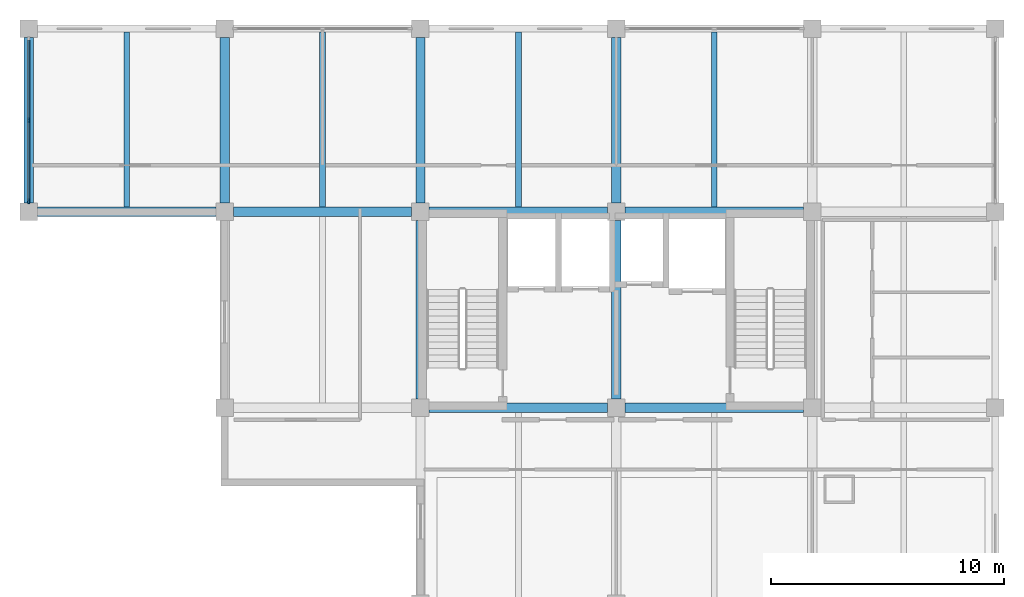
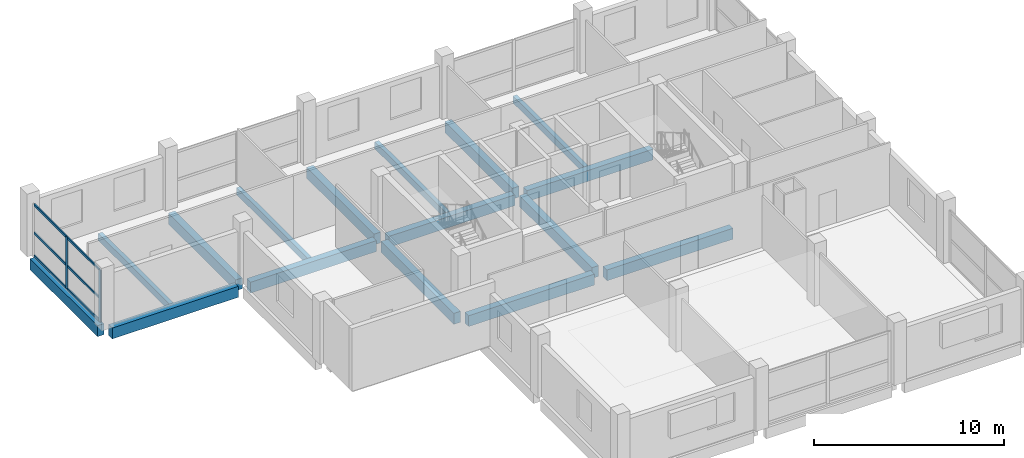
# One storey, part 3 of 9: 16 beams, 8 members, 1 element without a shape of its own.
"""IFC4 building model written with IfcOpenShell, lengths in metres."""

import ifcopenshell
import ifcopenshell.guid

model = None  # the IFC model being written
_history = None  # IfcOwnerHistory: only IFC2X3 demands one
_inside = {}  # id of a spatial element -> (the spatial element, [elements in it])
_under = {}  # id of a project, library or spatial element -> (it, [spatial elements below it])
_declared = {}  # id of a project -> (the project, [libraries it declares])
_typed = {}  # id of a type object -> (the type object, [elements of that type])
_made_of = {}  # id of a material, layer set ... -> (it, [elements and type objects made of it])


def new_model(schema):
    """Start an empty IFC model of exactly this schema.

    Asked for "IFC4X3", IfcOpenShell would pick the latest addendum, in which some entities
    have other attributes; the version numbers below select the first issue.
    IFC2X3 requires an IfcOwnerHistory on every rooted entity: one is made here for all.
    """
    global model, _history
    if schema == "IFC4X3":
        model = ifcopenshell.file(schema_version=(4, 3, 0, 0))
    else:
        model = ifcopenshell.file(schema=schema)
    _inside.clear()
    _under.clear()
    _declared.clear()
    _typed.clear()
    _made_of.clear()
    _history = None
    if model.schema == "IFC2X3":
        org = make("IfcOrganization", Name="unknown")
        user = make(
            "IfcPersonAndOrganization",
            ThePerson=make("IfcPerson", FamilyName="unknown"),
            TheOrganization=org,
        )
        app = make(
            "IfcApplication",
            ApplicationDeveloper=org,
            Version="unknown",
            ApplicationFullName="unknown",
            ApplicationIdentifier="unknown",
        )
        _history = make(
            "IfcOwnerHistory",
            OwningUser=user,
            OwningApplication=app,
            ChangeAction="ADDED",
            CreationDate=0,
        )
    return model


def make(cls, **values):
    """One entity of the class cls with the attributes given. An attribute that is None is left unset."""
    return model.create_entity(
        cls, **{name: value for name, value in values.items() if value is not None}
    )


def rooted(cls, **values):
    """An entity with a GlobalId (a new one), such as an element, a storey or a relation."""
    return make(cls, GlobalId=ifcopenshell.guid.new(), OwnerHistory=_history, **values)


def si_unit(unit_type, name, prefix=None):
    """IfcSIUnit, for example si_unit("LENGTHUNIT", "METRE", prefix="MILLI")."""
    return make("IfcSIUnit", UnitType=unit_type, Prefix=prefix, Name=name)


def assignment(units):
    """IfcUnitAssignment: the units of a project."""
    return None if units is None else make("IfcUnitAssignment", Units=units)


def point(xyz):
    """IfcCartesianPoint."""
    return None if xyz is None else make("IfcCartesianPoint", Coordinates=xyz)


def direction(xyz):
    """IfcDirection."""
    return None if xyz is None else make("IfcDirection", DirectionRatios=xyz)


def frame(location, z_axis=None, x_axis=None):
    """IfcAxis2Placement3D, a coordinate frame: its origin and axes. An axis left out is left unset."""
    return make(
        "IfcAxis2Placement3D",
        Location=point(location),
        Axis=direction(z_axis),
        RefDirection=direction(x_axis),
    )


def frame_2d(location, x_axis=None):
    """IfcAxis2Placement2D, a coordinate frame in the plane: its origin and x axis."""
    return make(
        "IfcAxis2Placement2D", Location=point(location), RefDirection=direction(x_axis)
    )


def origin():
    """The frame at (0, 0, 0) with its axes left unset."""
    return frame((0.0, 0.0, 0.0))


def origin_2d():
    """The frame at (0, 0) in the plane with its x axis left unset."""
    return frame_2d((0.0, 0.0))


def place(relative_to, where):
    """IfcLocalPlacement: puts the frame where relative to a parent placement (None: the world)."""
    return make(
        "IfcLocalPlacement", PlacementRelTo=relative_to, RelativePlacement=where
    )


def context(
    kind, dimensions, precision=None, world=None, true_north=None, identifier=None
):
    """IfcGeometricRepresentationContext, for example the 3D "Model" context."""
    return make(
        "IfcGeometricRepresentationContext",
        ContextIdentifier=identifier,
        ContextType=kind,
        CoordinateSpaceDimension=dimensions,
        Precision=precision,
        WorldCoordinateSystem=world,
        TrueNorth=true_north,
    )


def subcontext(parent, identifier, kind, view, scale=None):
    """IfcGeometricRepresentationSubContext, for example "Body" below "Model"."""
    return make(
        "IfcGeometricRepresentationSubContext",
        ContextIdentifier=identifier,
        ContextType=kind,
        ParentContext=parent,
        TargetScale=scale,
        TargetView=view,
    )


def project(units=None, contexts=None):
    """IfcProject with its units and contexts."""
    return rooted(
        "IfcProject",
        Name="project",
        RepresentationContexts=contexts,
        UnitsInContext=assignment(units),
    )


def spatial(cls, under=None, at=None, **own):
    """A site, building, storey or space (cls), placed at a placement, below another one or the project."""
    s = rooted(cls, ObjectPlacement=at, **own)
    if under is not None:
        _under.setdefault(under.id(), (under, []))[1].append(s)
    return s


def profile(cls, at=None, kind="AREA", **sizes):
    """A parametric profile (cls). Its sizes go by their IFC names, for example OverallWidth=200.0."""
    return make(cls, ProfileType=kind, Position=at, **sizes)


def rectangle(**sizes):
    """IfcRectangleProfileDef."""
    return profile("IfcRectangleProfileDef", **sizes)


def extrude(swept, where, along, depth):
    """IfcExtrudedAreaSolid: the profile swept, set in the frame where, extruded along a direction by depth."""
    return make(
        "IfcExtrudedAreaSolid",
        SweptArea=swept,
        Position=where,
        ExtrudedDirection=direction(along),
        Depth=depth,
    )


def shape(context_of_items, identifier, shape_type, items):
    """IfcShapeRepresentation: the items that make up one representation, for example the "Body"."""
    return make(
        "IfcShapeRepresentation",
        ContextOfItems=context_of_items,
        RepresentationIdentifier=identifier,
        RepresentationType=shape_type,
        Items=items,
    )


def material(Name=None, Category=None):
    """IfcMaterial."""
    return make("IfcMaterial", Name=Name, Category=Category)


def material_profile(
    of_material, cross_section, Name=None, Category=None, Priority=None
):
    """IfcMaterialProfile: a cross section and its material."""
    return make(
        "IfcMaterialProfile",
        Name=Name,
        Material=of_material,
        Profile=cross_section,
        Priority=Priority,
        Category=Category,
    )


def profile_set(profiles, Name=None, composite=None):
    """IfcMaterialProfileSet."""
    return make(
        "IfcMaterialProfileSet",
        Name=Name,
        MaterialProfiles=profiles,
        CompositeProfile=composite,
    )


def made_of(thing, what):
    """Note that an element or type object is made of a material, layer set ...; save() writes the relation."""
    if what is not None:
        _made_of.setdefault(what.id(), (what, []))[1].append(thing)
    return thing


def type_object(cls, material=None, **own):
    """A type object (cls), such as IfcWallType, which elements share."""
    return made_of(rooted(cls, **own), material)


def element(
    cls,
    number,
    at=None,
    inside=None,
    cuts=None,
    type_object=None,
    material=None,
    context=None,
    identifier="Body",
    shape_type=None,
    held_by="IfcProductDefinitionShape",
    body=None,
    shapes=None,
    **own,
):
    """One element of the class cls, such as IfcWall. Its Tag is "e" and its number.

    at: its placement. inside: the storey or other place that contains it. cuts: it is an
    opening in that element (IfcRelVoidsElement). A single representation is given by context,
    identifier, shape_type and body (its items); several are given by shapes. held_by: the class
    of the entity that holds the representations. save() writes the other relations.
    """
    e = rooted(cls, Tag="e%d" % number, ObjectPlacement=at, **own)
    if body is not None:
        shapes = [shape(context, identifier, shape_type, body)]
    if shapes is not None:
        e.Representation = make(held_by, Representations=shapes)
    if inside is not None:
        _inside.setdefault(inside.id(), (inside, []))[1].append(e)
    if cuts is not None:
        rooted(
            "IfcRelVoidsElement", RelatingBuildingElement=cuts, RelatedOpeningElement=e
        )
    if type_object is not None:
        _typed.setdefault(type_object.id(), (type_object, []))[1].append(e)
    return made_of(e, material)


def aggregate(whole, parts):
    """IfcRelAggregates: a whole, such as a stair, and the parts it consists of."""
    return rooted("IfcRelAggregates", RelatingObject=whole, RelatedObjects=parts)


def save(model, path):
    """Write the relations noted so far, then the file.

    IfcRelAggregates (storeys below a building ...), IfcRelContainedInSpatialStructure (elements
    in a storey), IfcRelDefinesByType, IfcRelAssociatesMaterial and IfcRelDeclares: one each for
    every whole, place, type object, material and project.
    """
    for whole, parts in _under.values():
        aggregate(whole, parts)
    for where, things in _inside.values():
        rooted(
            "IfcRelContainedInSpatialStructure",
            RelatedElements=things,
            RelatingStructure=where,
        )
    for kind, things in _typed.values():
        rooted("IfcRelDefinesByType", RelatedObjects=things, RelatingType=kind)
    for what, things in _made_of.values():
        rooted("IfcRelAssociatesMaterial", RelatedObjects=things, RelatingMaterial=what)
    for by, libraries in _declared.values():
        rooted("IfcRelDeclares", RelatingContext=by, RelatedDefinitions=libraries)
    model.write(path)


model = new_model("IFC4")

# Units and contexts
model_context = context("Model", 3, precision=1e-05, world=origin(), true_north=direction((0.0, 1.0)))
body_context = subcontext(model_context, "Body", "Model", "MODEL_VIEW")
ifc_project = project(units=[si_unit("LENGTHUNIT", "METRE"), si_unit("AREAUNIT", "SQUARE_METRE"), si_unit("VOLUMEUNIT", "CUBIC_METRE"), si_unit("PLANEANGLEUNIT", "RADIAN"), si_unit("MASSUNIT", "GRAM", prefix="KILO")], contexts=[model_context])

# Site, building, storey
site_placement = place(None, origin())
site = spatial("IfcSite", under=ifc_project, at=site_placement, CompositionType="ELEMENT")
building_placement = place(site_placement, origin())
building = spatial("IfcBuilding", under=site, at=building_placement, Name="Brinegate Botanical Conservatory", CompositionType="ELEMENT")
storey_placement = place(building_placement, frame((0.0, 0.0, 52.800048828125)))
storey = spatial("IfcBuildingStorey", under=building, at=storey_placement, Name="L13", CompositionType="ELEMENT", Elevation=52.800048828125)

# Beams
ifc_material_1 = material(Name="Concrete C40/50", Category="concrete")
ifc_material_profile_1 = material_profile(ifc_material_1, rectangle(XDim=0.39990234375, YDim=0.699951171875, at=origin_2d()), Name="RC BM 400x700")
ifc_profile_set_1 = profile_set([ifc_material_profile_1], Name="Concrete C40/50")
beam_type_1 = type_object("IfcBeamType", Name="Beam_BM-T2", PredefinedType="BEAM", material=ifc_profile_set_1)
beam_1_placement = place(storey_placement, frame((139.175048828125, 95.199951171875, -0.52001953125), z_axis=(1.0, 0.0, 0.0), x_axis=(0.0, 1.0, 0.0)))
element("IfcBeam", 1, at=beam_1_placement, inside=storey, type_object=beam_type_1, Name="Beam BM-T2 L13 M:18-19", PredefinedType="BEAM", context=body_context, shape_type="SweptSolid", body=[
    extrude(rectangle(XDim=0.39990234375, YDim=0.699951171875, at=origin_2d()), origin(), (0.0, 0.0, 1.0), 7.64990234375),
])
beam_2_placement = place(storey_placement, frame((147.574951171875, 95.199951171875, -0.52001953125), z_axis=(1.0, 0.0, 0.0), x_axis=(0.0, 1.0, 0.0)))
element("IfcBeam", 2, at=beam_2_placement, inside=storey, type_object=beam_type_1, Name="Beam BM-T2 L13 M:19-20", PredefinedType="BEAM", context=body_context, shape_type="SweptSolid", body=[
    extrude(rectangle(XDim=0.39990234375, YDim=0.699951171875, at=origin_2d()), origin(), (0.0, 0.0, 1.0), 7.650146484375),
])
beam_3_placement = place(storey_placement, frame((122.375, 103.60009765625, -0.52001953125), z_axis=(1.0, 0.0, 0.0), x_axis=(0.0, 1.0, 0.0)))
element("IfcBeam", 3, at=beam_3_placement, inside=storey, type_object=beam_type_1, Name="Beam BM-T2 L13 N:16-17", PredefinedType="BEAM", context=body_context, shape_type="SweptSolid", body=[
    extrude(rectangle(XDim=0.39990234375, YDim=0.699951171875, at=origin_2d()), origin(), (0.0, 0.0, 1.0), 7.64990234375),
])
beam_4_placement = place(storey_placement, frame((130.77490234375, 103.60009765625, -0.52001953125), z_axis=(1.0, 0.0, 0.0), x_axis=(0.0, 1.0, 0.0)))
element("IfcBeam", 4, at=beam_4_placement, inside=storey, type_object=beam_type_1, Name="Beam BM-T2 L13 N:17-18", PredefinedType="BEAM", context=body_context, shape_type="SweptSolid", body=[
    extrude(rectangle(XDim=0.39990234375, YDim=0.699951171875, at=origin_2d()), origin(), (0.0, 0.0, 1.0), 7.650146484375),
])
beam_5_placement = place(storey_placement, frame((139.175048828125, 103.60009765625, -0.52001953125), z_axis=(1.0, 0.0, 0.0), x_axis=(0.0, 1.0, 0.0)))
element("IfcBeam", 5, at=beam_5_placement, inside=storey, type_object=beam_type_1, Name="Beam BM-T2 L13 N:18-19", PredefinedType="BEAM", context=body_context, shape_type="SweptSolid", body=[
    extrude(rectangle(XDim=0.39990234375, YDim=0.699951171875, at=origin_2d()), origin(), (0.0, 0.0, 1.0), 7.64990234375),
])
beam_6_placement = place(storey_placement, frame((147.574951171875, 103.60009765625, -0.52001953125), z_axis=(1.0, 0.0, 0.0), x_axis=(0.0, 1.0, 0.0)))
element("IfcBeam", 6, at=beam_6_placement, inside=storey, type_object=beam_type_1, Name="Beam BM-T2 L13 N:19-20", PredefinedType="BEAM", context=body_context, shape_type="SweptSolid", body=[
    extrude(rectangle(XDim=0.39990234375, YDim=0.699951171875, at=origin_2d()), origin(), (0.0, 0.0, 1.0), 7.650146484375),
])
for number, where, z_axis, x_axis, name in (
    (7, (122.0, 103.97509765625, -0.52001953125), (0.0, 1.0, 0.0), (-1.0, 0.0, 0.0), "Beam BM-T2 L13 16:N-P"),
    (8, (130.39990234375, 103.97509765625, -0.52001953125), (0.0, 1.0, 0.0), (-1.0, 0.0, 0.0), "Beam BM-T2 L13 17:N-P"),
):
    element("IfcBeam", number, at=place(storey_placement, frame(where, z_axis=z_axis, x_axis=x_axis)), inside=storey, type_object=beam_type_1, Name=name, PredefinedType="BEAM", context=body_context, shape_type="SweptSolid", body=[
        extrude(rectangle(XDim=0.39990234375, YDim=0.699951171875, at=origin_2d()), origin(), (0.0, 0.0, 1.0), 7.099853515625),
    ])
beam_7_placement = place(storey_placement, frame((138.800048828125, 95.574951171875, -0.52001953125), z_axis=(0.0, 1.0, 0.0), x_axis=(-1.0, 0.0, 0.0)))
element("IfcBeam", 9, at=beam_7_placement, inside=storey, type_object=beam_type_1, Name="Beam BM-T2 L13 18:M-N", PredefinedType="BEAM", context=body_context, shape_type="SweptSolid", body=[
    extrude(rectangle(XDim=0.39990234375, YDim=0.699951171875, at=origin_2d()), origin(), (0.0, 0.0, 1.0), 7.650146484375),
])
beam_8_placement = place(storey_placement, frame((138.800048828125, 103.97509765625, -0.52001953125), z_axis=(0.0, 1.0, 0.0), x_axis=(-1.0, 0.0, 0.0)))
element("IfcBeam", 10, at=beam_8_placement, inside=storey, type_object=beam_type_1, Name="Beam BM-T2 L13 18:N-P", PredefinedType="BEAM", context=body_context, shape_type="SweptSolid", body=[
    extrude(rectangle(XDim=0.39990234375, YDim=0.699951171875, at=origin_2d()), origin(), (0.0, 0.0, 1.0), 7.099853515625),
])
beam_9_placement = place(storey_placement, frame((147.199951171875, 95.574951171875, -0.52001953125), z_axis=(0.0, 1.0, 0.0), x_axis=(-1.0, 0.0, 0.0)))
element("IfcBeam", 11, at=beam_9_placement, inside=storey, type_object=beam_type_1, Name="Beam BM-T2 L13 19:M-N", PredefinedType="BEAM", context=body_context, shape_type="SweptSolid", body=[
    extrude(rectangle(XDim=0.39990234375, YDim=0.699951171875, at=origin_2d()), origin(), (0.0, 0.0, 1.0), 7.650146484375),
])
beam_10_placement = place(storey_placement, frame((147.199951171875, 103.97509765625, -0.52001953125), z_axis=(0.0, 1.0, 0.0), x_axis=(-1.0, 0.0, 0.0)))
element("IfcBeam", 12, at=beam_10_placement, inside=storey, type_object=beam_type_1, Name="Beam BM-T2 L13 19:N-P", PredefinedType="BEAM", context=body_context, shape_type="SweptSolid", body=[
    extrude(rectangle(XDim=0.39990234375, YDim=0.699951171875, at=origin_2d()), origin(), (0.0, 0.0, 1.0), 7.099853515625),
])
ifc_material_profile_2 = material_profile(ifc_material_1, rectangle(XDim=0.25, YDim=0.449951171875, at=origin_2d()), Name="RC JST 250x450")
ifc_profile_set_2 = profile_set([ifc_material_profile_2], Name="Concrete C40/50")
beam_type_2 = type_object("IfcBeamType", Name="Beam_JS-C3", PredefinedType="JOIST", material=ifc_profile_set_2)
for number, where, z_axis, x_axis, name in (
    (13, (126.199951171875, 103.800048828125, -0.39501953125), (0.0, 1.0, 0.0), (-1.0, 0.0, 0.0), "Floor joist JS-C3 L13 bay 16.13"),
    (14, (134.60009765625, 103.800048828125, -0.39501953125), (0.0, 1.0, 0.0), (-1.0, 0.0, 0.0), "Floor joist JS-C3 L13 bay 17.13"),
    (15, (143.0, 103.800048828125, -0.39501953125), (0.0, 1.0, 0.0), (-1.0, 0.0, 0.0), "Floor joist JS-C3 L13 bay 18.13"),
    (16, (151.39990234375, 103.800048828125, -0.39501953125), (0.0, 1.0, 0.0), (-1.0, 0.0, 0.0), "Floor joist JS-C3 L13 bay 19.13"),
):
    element("IfcBeam", number, at=place(storey_placement, frame(where, z_axis=z_axis, x_axis=x_axis)), inside=storey, type_object=beam_type_2, Name=name, PredefinedType="JOIST", context=body_context, shape_type="SweptSolid", body=[
        extrude(rectangle(XDim=0.25, YDim=0.449951171875, at=origin_2d()), origin(), (0.0, 0.0, 1.0), 7.5),
    ])

# Curtain wall, members
ifc_material_2 = material(Name="Thermally broken anodised aluminium AW-6063-T6", Category="aluminium")
curtain_wall_type = type_object("IfcCurtainWallType", Name="CW_CW-TW1", PredefinedType="USERDEFINED", material=ifc_material_2)
curtain_wall_placement = place(storey_placement, origin())
curtain_wall = element("IfcCurtainWall", 17, at=curtain_wall_placement, inside=storey, type_object=curtain_wall_type, Name="Tower north-west curtain wall L13", ObjectType="FACTORY CURTAIN WALL", PredefinedType="USERDEFINED")
ifc_material_profile_3 = material_profile(ifc_material_2, rectangle(XDim=0.070068359375, YDim=0.199951171875, at=origin_2d()), Name="ALUM MULLION 70x200")
ifc_profile_set_3 = profile_set([ifc_material_profile_3], Name="Thermally broken anodised aluminium AW-6063-T6")
member_type_1 = type_object("IfcMemberType", Name="Member_ML-03", PredefinedType="MULLION", material=ifc_profile_set_3)
member_1_placement = place(storey_placement, frame((122.0, 104.050048828125, 0.0), z_axis=(0.0, 0.0, 1.0), x_axis=(-1.0, 0.0, 0.0)))
member_1 = element("IfcMember", 18, at=member_1_placement, type_object=member_type_1, Name="CW-TW1 mullion 1", PredefinedType="MULLION", context=body_context, shape_type="SweptSolid", body=[
    extrude(rectangle(XDim=0.070068359375, YDim=0.199951171875, at=origin_2d()), origin(), (0.0, 0.0, 1.0), 3.329833984375),
])
member_2_placement = place(storey_placement, frame((122.0, 107.52490234375, 0.0), z_axis=(0.0, 0.0, 1.0), x_axis=(-1.0, 0.0, 0.0)))
member_2 = element("IfcMember", 19, at=member_2_placement, type_object=member_type_1, Name="CW-TW1 mullion 2", PredefinedType="MULLION", context=body_context, shape_type="SweptSolid", body=[
    extrude(rectangle(XDim=0.070068359375, YDim=0.199951171875, at=origin_2d()), origin(), (0.0, 0.0, 1.0), 3.329833984375),
])
ifc_material_profile_4 = material_profile(ifc_material_2, rectangle(XDim=0.070068359375, YDim=0.14990234375, at=origin_2d()), Name="ALUM TRANSOM 70x150")
ifc_profile_set_4 = profile_set([ifc_material_profile_4], Name="Thermally broken anodised aluminium AW-6063-T6")
member_type_2 = type_object("IfcMemberType", Name="Member_TR-03", PredefinedType="USERDEFINED", material=ifc_profile_set_4)
member_3_placement = place(storey_placement, frame((122.0, 104.0849609375, 0.034912109375), z_axis=(0.0, 1.0, 0.0), x_axis=(-1.0, 0.0, 0.0)))
member_3 = element("IfcMember", 20, at=member_3_placement, type_object=member_type_2, Name="CW-TW1 transom 1.1", ObjectType="TRANSOM", PredefinedType="USERDEFINED", context=body_context, shape_type="SweptSolid", body=[
    extrude(rectangle(XDim=0.070068359375, YDim=0.14990234375, at=origin_2d()), origin(), (0.0, 0.0, 1.0), 3.405029296875),
])
member_4_placement = place(storey_placement, frame((122.0, 104.0849609375, 1.498046875), z_axis=(0.0, 1.0, 0.0), x_axis=(-1.0, 0.0, 0.0)))
member_4 = element("IfcMember", 21, at=member_4_placement, type_object=member_type_2, Name="CW-TW1 transom 1.2", ObjectType="TRANSOM", PredefinedType="USERDEFINED", context=body_context, shape_type="SweptSolid", body=[
    extrude(rectangle(XDim=0.070068359375, YDim=0.14990234375, at=origin_2d()), origin(), (0.0, 0.0, 1.0), 3.405029296875),
])
member_5_placement = place(storey_placement, frame((122.0, 104.0849609375, 3.294921875), z_axis=(0.0, 1.0, 0.0), x_axis=(-1.0, 0.0, 0.0)))
member_5 = element("IfcMember", 22, at=member_5_placement, type_object=member_type_2, Name="CW-TW1 transom 1.3", ObjectType="TRANSOM", PredefinedType="USERDEFINED", context=body_context, shape_type="SweptSolid", body=[
    extrude(rectangle(XDim=0.070068359375, YDim=0.14990234375, at=origin_2d()), origin(), (0.0, 0.0, 1.0), 3.405029296875),
])
member_6_placement = place(storey_placement, frame((122.0, 107.56005859375, 0.034912109375), z_axis=(0.0, 1.0, 0.0), x_axis=(-1.0, 0.0, 0.0)))
member_6 = element("IfcMember", 23, at=member_6_placement, type_object=member_type_2, Name="CW-TW1 transom 2.1", ObjectType="TRANSOM", PredefinedType="USERDEFINED", context=body_context, shape_type="SweptSolid", body=[
    extrude(rectangle(XDim=0.070068359375, YDim=0.14990234375, at=origin_2d()), origin(), (0.0, 0.0, 1.0), 3.405029296875),
])
member_7_placement = place(storey_placement, frame((122.0, 107.56005859375, 1.498046875), z_axis=(0.0, 1.0, 0.0), x_axis=(-1.0, 0.0, 0.0)))
member_7 = element("IfcMember", 24, at=member_7_placement, type_object=member_type_2, Name="CW-TW1 transom 2.2", ObjectType="TRANSOM", PredefinedType="USERDEFINED", context=body_context, shape_type="SweptSolid", body=[
    extrude(rectangle(XDim=0.070068359375, YDim=0.14990234375, at=origin_2d()), origin(), (0.0, 0.0, 1.0), 3.405029296875),
])
member_8_placement = place(storey_placement, frame((122.0, 107.56005859375, 3.294921875), z_axis=(0.0, 1.0, 0.0), x_axis=(-1.0, 0.0, 0.0)))
member_8 = element("IfcMember", 25, at=member_8_placement, type_object=member_type_2, Name="CW-TW1 transom 2.3", ObjectType="TRANSOM", PredefinedType="USERDEFINED", context=body_context, shape_type="SweptSolid", body=[
    extrude(rectangle(XDim=0.070068359375, YDim=0.14990234375, at=origin_2d()), origin(), (0.0, 0.0, 1.0), 3.405029296875),
])
aggregate(curtain_wall, [member_1, member_2, member_3, member_4, member_5, member_6, member_7, member_8])

save(model, "model.ifc")
